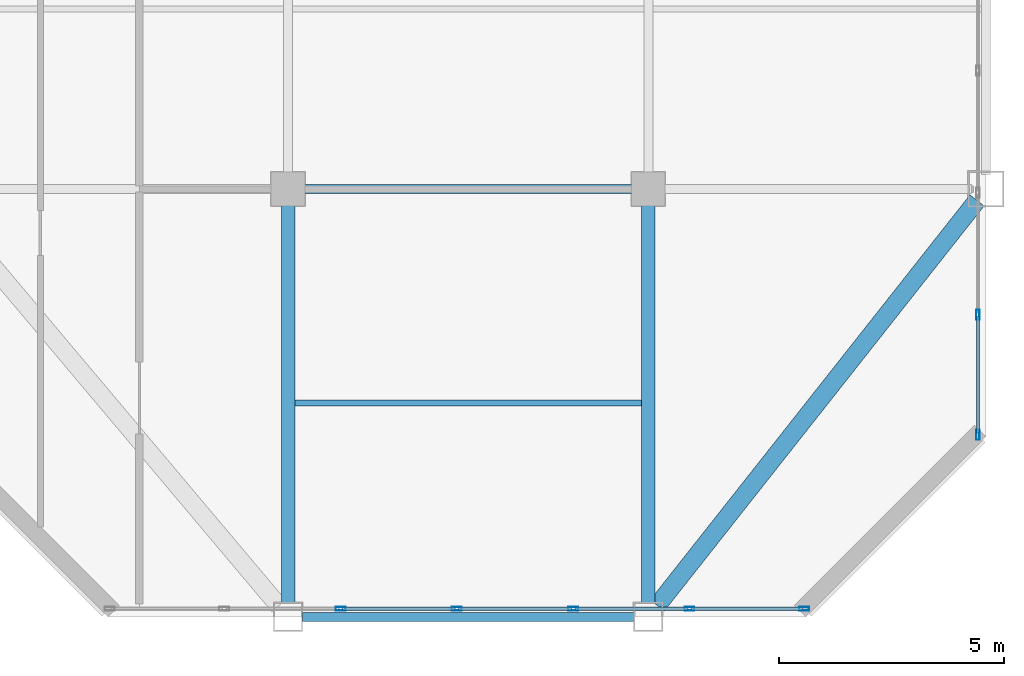
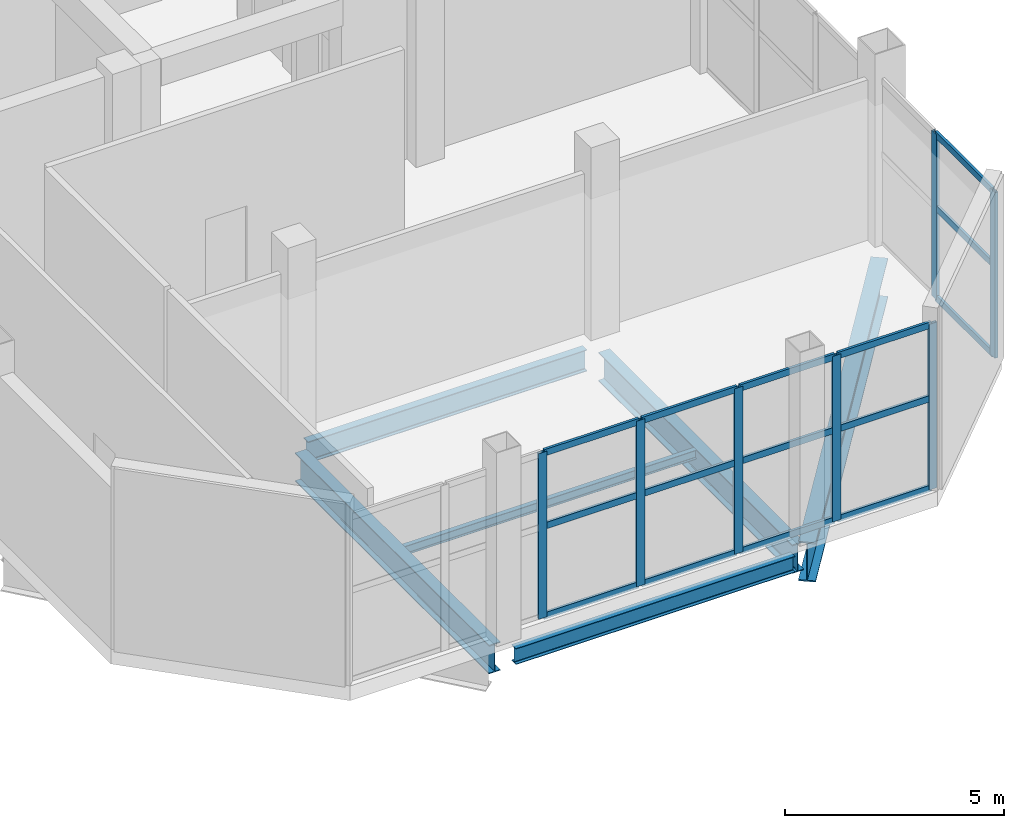
# One storey, part 8 of 17: 22 members, 6 beams, 2 elements without a shape of their own.
"""IFC4 building model written with IfcOpenShell, lengths in metres."""

from ifc_helpers import new_model, si_unit, direction, frame, origin, origin_2d, place, context, subcontext, project, spatial, hollow_rectangle, i_section, extrude, material, layer, layer_set, material_profile, profile_set, type_object, element, aggregate, save


model = new_model("IFC4")

# Units and contexts
model_context = context("Model", 3, precision=1e-05, world=origin(), true_north=direction((0.0, 1.0)))
body_context = subcontext(model_context, "Body", "Model", "MODEL_VIEW")
ifc_project = project(units=[si_unit("LENGTHUNIT", "METRE"), si_unit("AREAUNIT", "SQUARE_METRE"), si_unit("VOLUMEUNIT", "CUBIC_METRE"), si_unit("PLANEANGLEUNIT", "RADIAN"), si_unit("MASSUNIT", "GRAM", prefix="KILO")], contexts=[model_context])

# Site, building, storey
site_placement = place(None, origin())
site = spatial("IfcSite", under=ifc_project, at=site_placement, CompositionType="ELEMENT")
building_placement = place(site_placement, origin())
building = spatial("IfcBuilding", under=site, at=building_placement, Name="Qianrong Seaharbour Tower", CompositionType="ELEMENT")
storey_placement = place(building_placement, frame((0.0, 0.0, 373.0)))
storey = spatial("IfcBuildingStorey", under=building, at=storey_placement, Name="L90", CompositionType="ELEMENT", Elevation=373.0)

# Beams
ifc_material_1 = material(Name="Structural steel SN490B", Category="steel")
ifc_material_profile_1 = material_profile(ifc_material_1, i_section(OverallWidth=0.199951171875, OverallDepth=0.60009765625, WebThickness=0.010986328125, FlangeThickness=0.01708984375, FilletRadius=0.02197265625, at=origin_2d()), Name="H600x200x11x17")
ifc_profile_set_1 = profile_set([ifc_material_profile_1], Name="Structural steel SN490B")
beam_type_1 = type_object("IfcBeamType", Name="BM-G-600", PredefinedType="BEAM", material=ifc_profile_set_1)
beam_1_placement = place(storey_placement, frame((48.820068359375, 28.0, -0.7099609375), z_axis=(1.0, 0.0, 0.0), x_axis=(0.0, 1.0, 0.0)))
element("IfcBeam", 1, at=beam_1_placement, inside=storey, type_object=beam_type_1, Name="L90 Primary Girder GE G7-G8", PredefinedType="BEAM", context=body_context, shape_type="SweptSolid", body=[
    extrude(i_section(OverallWidth=0.199951171875, OverallDepth=0.60009765625, WebThickness=0.010986328125, FlangeThickness=0.01708984375, FilletRadius=0.02197265625, at=origin_2d()), origin(), (0.0, 0.0, 1.0), 7.35986328125),
])
ifc_material_profile_2 = material_profile(ifc_material_1, i_section(OverallWidth=0.300048828125, OverallDepth=0.800048828125, WebThickness=0.013916015625, FlangeThickness=0.02587890625, FilletRadius=0.028076171875, at=origin_2d()), Name="H800x300x14x26")
ifc_profile_set_2 = profile_set([ifc_material_profile_2], Name="Structural steel SN490B")
beam_type_2 = type_object("IfcBeamType", Name="BM-G-800", PredefinedType="BEAM", material=ifc_profile_set_2)
for number, where, z_axis, x_axis, name in (
    (2, (48.5, 18.820068359375, -0.81005859375), (0.0, 1.0, 0.0), (-1.0, 0.0, 0.0), "L90 Primary Girder G7 GD-GE"),
    (3, (56.5, 18.820068359375, -0.81005859375), (0.0, 1.0, 0.0), (-1.0, 0.0, 0.0), "L90 Primary Girder G8 GD-GE"),
):
    element("IfcBeam", number, at=place(storey_placement, frame(where, z_axis=z_axis, x_axis=x_axis)), inside=storey, type_object=beam_type_2, Name=name, PredefinedType="BEAM", context=body_context, shape_type="SweptSolid", body=[
        extrude(i_section(OverallWidth=0.300048828125, OverallDepth=0.800048828125, WebThickness=0.013916015625, FlangeThickness=0.02587890625, FilletRadius=0.028076171875, at=origin_2d()), origin(), (0.0, 0.0, 1.0), 8.85986328125),
    ])
ifc_material_2 = material(Name="Structural steel SN400B", Category="steel")
ifc_material_profile_3 = material_profile(ifc_material_2, i_section(OverallWidth=0.125, OverallDepth=0.25, WebThickness=0.006103515625, FlangeThickness=0.009033203125, FilletRadius=0.011962890625, at=origin_2d()), Name="H250x125x6x9")
ifc_profile_set_3 = profile_set([ifc_material_profile_3], Name="Structural steel SN400B")
beam_type_3 = type_object("IfcBeamType", Name="BM-J-250", PredefinedType="JOIST", material=ifc_profile_set_3)
beam_2_placement = place(storey_placement, frame((48.64990234375, 23.25, -0.534912109375), z_axis=(1.0, 0.0, 0.0), x_axis=(0.0, 1.0, 0.0)))
element("IfcBeam", 4, at=beam_2_placement, inside=storey, type_object=beam_type_3, Name="L90 Composite Floor Joist G7-G8/GD-GE", PredefinedType="JOIST", context=body_context, shape_type="SweptSolid", body=[
    extrude(i_section(OverallWidth=0.125, OverallDepth=0.25, WebThickness=0.006103515625, FlangeThickness=0.009033203125, FilletRadius=0.011962890625, at=origin_2d()), origin(), (0.0, 0.0, 1.0), 7.7001953125),
])
ifc_material_profile_4 = material_profile(ifc_material_2, i_section(OverallWidth=0.199951171875, OverallDepth=0.449951171875, WebThickness=0.009033203125, FlangeThickness=0.013916015625, FilletRadius=0.01806640625, at=origin_2d()), Name="H450x200x9x14")
ifc_profile_set_4 = profile_set([ifc_material_profile_4], Name="Structural steel SN400B")
beam_type_4 = type_object("IfcBeamType", Name="BM-SP-450", PredefinedType="SPANDREL", material=ifc_profile_set_4)
beam_3_placement = place(storey_placement, frame((48.820068359375, 18.5, -0.635009765625), z_axis=(1.0, 0.0, 0.0), x_axis=(0.0, 1.0, 0.0)))
element("IfcBeam", 5, at=beam_3_placement, inside=storey, type_object=beam_type_4, Name="L90 Spandrel Girder GD G7-G8", PredefinedType="SPANDREL", context=body_context, shape_type="SweptSolid", body=[
    extrude(i_section(OverallWidth=0.199951171875, OverallDepth=0.449951171875, WebThickness=0.009033203125, FlangeThickness=0.013916015625, FilletRadius=0.01806640625, at=origin_2d()), origin(), (0.0, 0.0, 1.0), 7.35986328125),
])
ifc_material_profile_5 = material_profile(ifc_material_1, i_section(OverallWidth=0.39990234375, OverallDepth=1.10009765625, WebThickness=0.02001953125, FlangeThickness=0.035888671875, at=origin_2d()), Name="BH1100x400x20x36")
ifc_profile_set_5 = profile_set([ifc_material_profile_5], Name="Structural steel SN490B")
beam_type_5 = type_object("IfcBeamType", Name="BM-TG-1100", PredefinedType="BEAM", material=ifc_profile_set_5)
beam_4_placement = place(storey_placement, frame((56.6982421875, 18.751220703125, -0.9599609375), z_axis=(0.619653955715, 0.784875133487, 0.0), x_axis=(-0.784875133487, 0.619653955715, 0.0)))
element("IfcBeam", 6, at=beam_4_placement, inside=storey, type_object=beam_type_5, Name="L90 Chamfer Corner Spandrel Girder G9/GD", PredefinedType="BEAM", context=body_context, shape_type="SweptSolid", body=[
    extrude(i_section(OverallWidth=0.39990234375, OverallDepth=1.10009765625, WebThickness=0.02001953125, FlangeThickness=0.035888671875, at=origin_2d()), origin(), (0.0, 0.0, 1.0), 11.463623046875),
])

# Curtain wall, members
ifc_material_3 = material(Name="Anodised aluminium 6063-T6 and laminated low-e glass", Category="aluminium")
ifc_layer = layer(ifc_material_3, 0.239990234375)
ifc_layer_set = layer_set([ifc_layer], Name="Anodised aluminium 6063-T6 and laminated low-e glass")
curtain_wall_type = type_object("IfcCurtainWallType", Name="CW-SYS-6", PredefinedType="NOTDEFINED", material=ifc_layer_set)
curtain_wall_1_placement = place(storey_placement, origin())
curtain_wall_1 = element("IfcCurtainWall", 7, at=curtain_wall_1_placement, inside=storey, type_object=curtain_wall_type, Name="L90 TMD Exhibition Lantern Translucent Curtain Wall EAST_WING", PredefinedType="NOTDEFINED")
ifc_material_4 = material(Name="Extruded aluminium 6063-T6", Category="aluminium")
ifc_material_profile_6 = material_profile(ifc_material_4, hollow_rectangle(XDim=0.080078125, YDim=0.219970703125, WallThickness=0.0048828125, at=origin_2d()), Name="ALU-MUL-220x80x5")
ifc_profile_set_6 = profile_set([ifc_material_profile_6], Name="Extruded aluminium 6063-T6")
member_type_1 = type_object("IfcMemberType", Name="CW-MUL-220", PredefinedType="MULLION", material=ifc_profile_set_6)
member_1_placement = place(storey_placement, frame((63.820068359375, 25.2099609375, 0.0), z_axis=(0.0, 0.0, 1.0), x_axis=(1.0, 0.0, 0.0)))
member_1 = element("IfcMember", 8, at=member_1_placement, type_object=member_type_1, Name="CW-6 mullion 5", PredefinedType="MULLION", context=body_context, shape_type="SweptSolid", body=[
    extrude(hollow_rectangle(XDim=0.080078125, YDim=0.219970703125, WallThickness=0.0048828125, at=origin_2d()), origin(), (0.0, 0.0, 1.0), 4.6201171875),
])
member_2_placement = place(storey_placement, frame((63.820068359375, 22.5400390625, 0.0), z_axis=(0.0, 0.0, 1.0), x_axis=(1.0, 0.0, 0.0)))
member_2 = element("IfcMember", 9, at=member_2_placement, type_object=member_type_1, Name="CW-6 mullion 6", PredefinedType="MULLION", context=body_context, shape_type="SweptSolid", body=[
    extrude(hollow_rectangle(XDim=0.080078125, YDim=0.219970703125, WallThickness=0.0048828125, at=origin_2d()), origin(), (0.0, 0.0, 1.0), 4.6201171875),
])

curtain_wall_2_placement = place(storey_placement, origin())
curtain_wall_2 = element("IfcCurtainWall", 10, at=curtain_wall_2_placement, inside=storey, type_object=curtain_wall_type, Name="L90 TMD Exhibition Lantern Translucent Curtain Wall SOUTH_TIP", PredefinedType="NOTDEFINED")
member_3_placement = place(storey_placement, frame((59.9599609375, 18.679931640625, 0.0), z_axis=(0.0, 0.0, 1.0), x_axis=(0.0, -1.0, 0.0)))
member_3 = element("IfcMember", 11, at=member_3_placement, type_object=member_type_1, Name="CW-6 mullion 1", PredefinedType="MULLION", context=body_context, shape_type="SweptSolid", body=[
    extrude(hollow_rectangle(XDim=0.080078125, YDim=0.219970703125, WallThickness=0.0048828125, at=origin_2d()), origin(), (0.0, 0.0, 1.0), 4.6201171875),
])
member_4_placement = place(storey_placement, frame((57.416748046875, 18.679931640625, 0.0), z_axis=(0.0, 0.0, 1.0), x_axis=(0.0, -1.0, 0.0)))
member_4 = element("IfcMember", 12, at=member_4_placement, type_object=member_type_1, Name="CW-6 mullion 2", PredefinedType="MULLION", context=body_context, shape_type="SweptSolid", body=[
    extrude(hollow_rectangle(XDim=0.080078125, YDim=0.219970703125, WallThickness=0.0048828125, at=origin_2d()), origin(), (0.0, 0.0, 1.0), 4.6201171875),
])
member_5_placement = place(storey_placement, frame((54.833251953125, 18.679931640625, 0.0), z_axis=(0.0, 0.0, 1.0), x_axis=(0.0, -1.0, 0.0)))
member_5 = element("IfcMember", 13, at=member_5_placement, type_object=member_type_1, Name="CW-6 mullion 3", PredefinedType="MULLION", context=body_context, shape_type="SweptSolid", body=[
    extrude(hollow_rectangle(XDim=0.080078125, YDim=0.219970703125, WallThickness=0.0048828125, at=origin_2d()), origin(), (0.0, 0.0, 1.0), 4.6201171875),
])
member_6_placement = place(storey_placement, frame((52.25, 18.679931640625, 0.0), z_axis=(0.0, 0.0, 1.0), x_axis=(0.0, -1.0, 0.0)))
member_6 = element("IfcMember", 14, at=member_6_placement, type_object=member_type_1, Name="CW-6 mullion 4", PredefinedType="MULLION", context=body_context, shape_type="SweptSolid", body=[
    extrude(hollow_rectangle(XDim=0.080078125, YDim=0.219970703125, WallThickness=0.0048828125, at=origin_2d()), origin(), (0.0, 0.0, 1.0), 4.6201171875),
])
member_7_placement = place(storey_placement, frame((49.666748046875, 18.679931640625, 0.0), z_axis=(0.0, 0.0, 1.0), x_axis=(0.0, -1.0, 0.0)))
member_7 = element("IfcMember", 15, at=member_7_placement, type_object=member_type_1, Name="CW-6 mullion 5", PredefinedType="MULLION", context=body_context, shape_type="SweptSolid", body=[
    extrude(hollow_rectangle(XDim=0.080078125, YDim=0.219970703125, WallThickness=0.0048828125, at=origin_2d()), origin(), (0.0, 0.0, 1.0), 4.6201171875),
])

# Member
ifc_material_profile_7 = material_profile(ifc_material_4, hollow_rectangle(XDim=0.070068359375, YDim=0.179931640625, WallThickness=0.00390625, at=origin_2d()), Name="ALU-TRN-180x70x4")
ifc_profile_set_7 = profile_set([ifc_material_profile_7], Name="Extruded aluminium 6063-T6")
member_type_2 = type_object("IfcMemberType", Name="CW-TRN-180", PredefinedType="USERDEFINED", material=ifc_profile_set_7)
member_8_placement = place(storey_placement, frame((63.820068359375, 25.169921875, 0.034912109375), z_axis=(0.0, -1.0, 0.0), x_axis=(1.0, 0.0, 0.0)))
member_8 = element("IfcMember", 16, at=member_8_placement, type_object=member_type_2, Name="CW-6 transom 5.1", ObjectType="TRANSOM", PredefinedType="USERDEFINED", context=body_context, shape_type="SweptSolid", body=[
    extrude(hollow_rectangle(XDim=0.070068359375, YDim=0.179931640625, WallThickness=0.00390625, at=origin_2d()), origin(), (0.0, 0.0, 1.0), 2.58984375),
])

member_9_placement = place(storey_placement, frame((63.820068359375, 25.169921875, 2.541015625), z_axis=(0.0, -1.0, 0.0), x_axis=(1.0, 0.0, 0.0)))
member_9 = element("IfcMember", 17, at=member_9_placement, type_object=member_type_2, Name="CW-6 transom 5.2", ObjectType="TRANSOM", PredefinedType="USERDEFINED", context=body_context, shape_type="SweptSolid", body=[
    extrude(hollow_rectangle(XDim=0.070068359375, YDim=0.179931640625, WallThickness=0.00390625, at=origin_2d()), origin(), (0.0, 0.0, 1.0), 2.58984375),
])

member_10_placement = place(storey_placement, frame((63.820068359375, 25.169921875, 4.5849609375), z_axis=(0.0, -1.0, 0.0), x_axis=(1.0, 0.0, 0.0)))
member_10 = element("IfcMember", 18, at=member_10_placement, type_object=member_type_2, Name="CW-6 transom 5.3", ObjectType="TRANSOM", PredefinedType="USERDEFINED", context=body_context, shape_type="SweptSolid", body=[
    extrude(hollow_rectangle(XDim=0.070068359375, YDim=0.179931640625, WallThickness=0.00390625, at=origin_2d()), origin(), (0.0, 0.0, 1.0), 2.58984375),
])

aggregate(curtain_wall_1, [member_1, member_2, member_8, member_9, member_10])

member_11_placement = place(storey_placement, frame((59.919921875, 18.679931640625, 0.034912109375), z_axis=(-1.0, 0.0, 0.0), x_axis=(0.0, -1.0, 0.0)))
member_11 = element("IfcMember", 19, at=member_11_placement, type_object=member_type_2, Name="CW-6 transom 1.1", ObjectType="TRANSOM", PredefinedType="USERDEFINED", context=body_context, shape_type="SweptSolid", body=[
    extrude(hollow_rectangle(XDim=0.070068359375, YDim=0.179931640625, WallThickness=0.00390625, at=origin_2d()), origin(), (0.0, 0.0, 1.0), 2.463134765625),
])

member_12_placement = place(storey_placement, frame((59.919921875, 18.679931640625, 2.541015625), z_axis=(-1.0, 0.0, 0.0), x_axis=(0.0, -1.0, 0.0)))
member_12 = element("IfcMember", 20, at=member_12_placement, type_object=member_type_2, Name="CW-6 transom 1.2", ObjectType="TRANSOM", PredefinedType="USERDEFINED", context=body_context, shape_type="SweptSolid", body=[
    extrude(hollow_rectangle(XDim=0.070068359375, YDim=0.179931640625, WallThickness=0.00390625, at=origin_2d()), origin(), (0.0, 0.0, 1.0), 2.463134765625),
])

member_13_placement = place(storey_placement, frame((59.919921875, 18.679931640625, 4.5849609375), z_axis=(-1.0, 0.0, 0.0), x_axis=(0.0, -1.0, 0.0)))
member_13 = element("IfcMember", 21, at=member_13_placement, type_object=member_type_2, Name="CW-6 transom 1.3", ObjectType="TRANSOM", PredefinedType="USERDEFINED", context=body_context, shape_type="SweptSolid", body=[
    extrude(hollow_rectangle(XDim=0.070068359375, YDim=0.179931640625, WallThickness=0.00390625, at=origin_2d()), origin(), (0.0, 0.0, 1.0), 2.463134765625),
])

member_14_placement = place(storey_placement, frame((57.376708984375, 18.679931640625, 0.034912109375), z_axis=(-1.0, 0.0, 0.0), x_axis=(0.0, -1.0, 0.0)))
member_14 = element("IfcMember", 22, at=member_14_placement, type_object=member_type_2, Name="CW-6 transom 2.1", ObjectType="TRANSOM", PredefinedType="USERDEFINED", context=body_context, shape_type="SweptSolid", body=[
    extrude(hollow_rectangle(XDim=0.070068359375, YDim=0.179931640625, WallThickness=0.00390625, at=origin_2d()), origin(), (0.0, 0.0, 1.0), 2.50341796875),
])

member_15_placement = place(storey_placement, frame((57.376708984375, 18.679931640625, 2.541015625), z_axis=(-1.0, 0.0, 0.0), x_axis=(0.0, -1.0, 0.0)))
member_15 = element("IfcMember", 23, at=member_15_placement, type_object=member_type_2, Name="CW-6 transom 2.2", ObjectType="TRANSOM", PredefinedType="USERDEFINED", context=body_context, shape_type="SweptSolid", body=[
    extrude(hollow_rectangle(XDim=0.070068359375, YDim=0.179931640625, WallThickness=0.00390625, at=origin_2d()), origin(), (0.0, 0.0, 1.0), 2.50341796875),
])

member_16_placement = place(storey_placement, frame((57.376708984375, 18.679931640625, 4.5849609375), z_axis=(-1.0, 0.0, 0.0), x_axis=(0.0, -1.0, 0.0)))
member_16 = element("IfcMember", 24, at=member_16_placement, type_object=member_type_2, Name="CW-6 transom 2.3", ObjectType="TRANSOM", PredefinedType="USERDEFINED", context=body_context, shape_type="SweptSolid", body=[
    extrude(hollow_rectangle(XDim=0.070068359375, YDim=0.179931640625, WallThickness=0.00390625, at=origin_2d()), origin(), (0.0, 0.0, 1.0), 2.50341796875),
])

member_17_placement = place(storey_placement, frame((54.793212890625, 18.679931640625, 0.034912109375), z_axis=(-1.0, 0.0, 0.0), x_axis=(0.0, -1.0, 0.0)))
member_17 = element("IfcMember", 25, at=member_17_placement, type_object=member_type_2, Name="CW-6 transom 3.1", ObjectType="TRANSOM", PredefinedType="USERDEFINED", context=body_context, shape_type="SweptSolid", body=[
    extrude(hollow_rectangle(XDim=0.070068359375, YDim=0.179931640625, WallThickness=0.00390625, at=origin_2d()), origin(), (0.0, 0.0, 1.0), 2.503173828125),
])

member_18_placement = place(storey_placement, frame((54.793212890625, 18.679931640625, 2.541015625), z_axis=(-1.0, 0.0, 0.0), x_axis=(0.0, -1.0, 0.0)))
member_18 = element("IfcMember", 26, at=member_18_placement, type_object=member_type_2, Name="CW-6 transom 3.2", ObjectType="TRANSOM", PredefinedType="USERDEFINED", context=body_context, shape_type="SweptSolid", body=[
    extrude(hollow_rectangle(XDim=0.070068359375, YDim=0.179931640625, WallThickness=0.00390625, at=origin_2d()), origin(), (0.0, 0.0, 1.0), 2.503173828125),
])

member_19_placement = place(storey_placement, frame((54.793212890625, 18.679931640625, 4.5849609375), z_axis=(-1.0, 0.0, 0.0), x_axis=(0.0, -1.0, 0.0)))
member_19 = element("IfcMember", 27, at=member_19_placement, type_object=member_type_2, Name="CW-6 transom 3.3", ObjectType="TRANSOM", PredefinedType="USERDEFINED", context=body_context, shape_type="SweptSolid", body=[
    extrude(hollow_rectangle(XDim=0.070068359375, YDim=0.179931640625, WallThickness=0.00390625, at=origin_2d()), origin(), (0.0, 0.0, 1.0), 2.503173828125),
])

member_20_placement = place(storey_placement, frame((52.2099609375, 18.679931640625, 0.034912109375), z_axis=(-1.0, 0.0, 0.0), x_axis=(0.0, -1.0, 0.0)))
member_20 = element("IfcMember", 28, at=member_20_placement, type_object=member_type_2, Name="CW-6 transom 4.1", ObjectType="TRANSOM", PredefinedType="USERDEFINED", context=body_context, shape_type="SweptSolid", body=[
    extrude(hollow_rectangle(XDim=0.070068359375, YDim=0.179931640625, WallThickness=0.00390625, at=origin_2d()), origin(), (0.0, 0.0, 1.0), 2.503173828125),
])

member_21_placement = place(storey_placement, frame((52.2099609375, 18.679931640625, 2.541015625), z_axis=(-1.0, 0.0, 0.0), x_axis=(0.0, -1.0, 0.0)))
member_21 = element("IfcMember", 29, at=member_21_placement, type_object=member_type_2, Name="CW-6 transom 4.2", ObjectType="TRANSOM", PredefinedType="USERDEFINED", context=body_context, shape_type="SweptSolid", body=[
    extrude(hollow_rectangle(XDim=0.070068359375, YDim=0.179931640625, WallThickness=0.00390625, at=origin_2d()), origin(), (0.0, 0.0, 1.0), 2.503173828125),
])

member_22_placement = place(storey_placement, frame((52.2099609375, 18.679931640625, 4.5849609375), z_axis=(-1.0, 0.0, 0.0), x_axis=(0.0, -1.0, 0.0)))
member_22 = element("IfcMember", 30, at=member_22_placement, type_object=member_type_2, Name="CW-6 transom 4.3", ObjectType="TRANSOM", PredefinedType="USERDEFINED", context=body_context, shape_type="SweptSolid", body=[
    extrude(hollow_rectangle(XDim=0.070068359375, YDim=0.179931640625, WallThickness=0.00390625, at=origin_2d()), origin(), (0.0, 0.0, 1.0), 2.503173828125),
])

aggregate(curtain_wall_2, [member_3, member_4, member_5, member_6, member_7, member_11, member_12, member_13, member_14, member_15, member_16, member_17, member_18, member_19, member_20, member_21, member_22])

save(model, "model.ifc")
